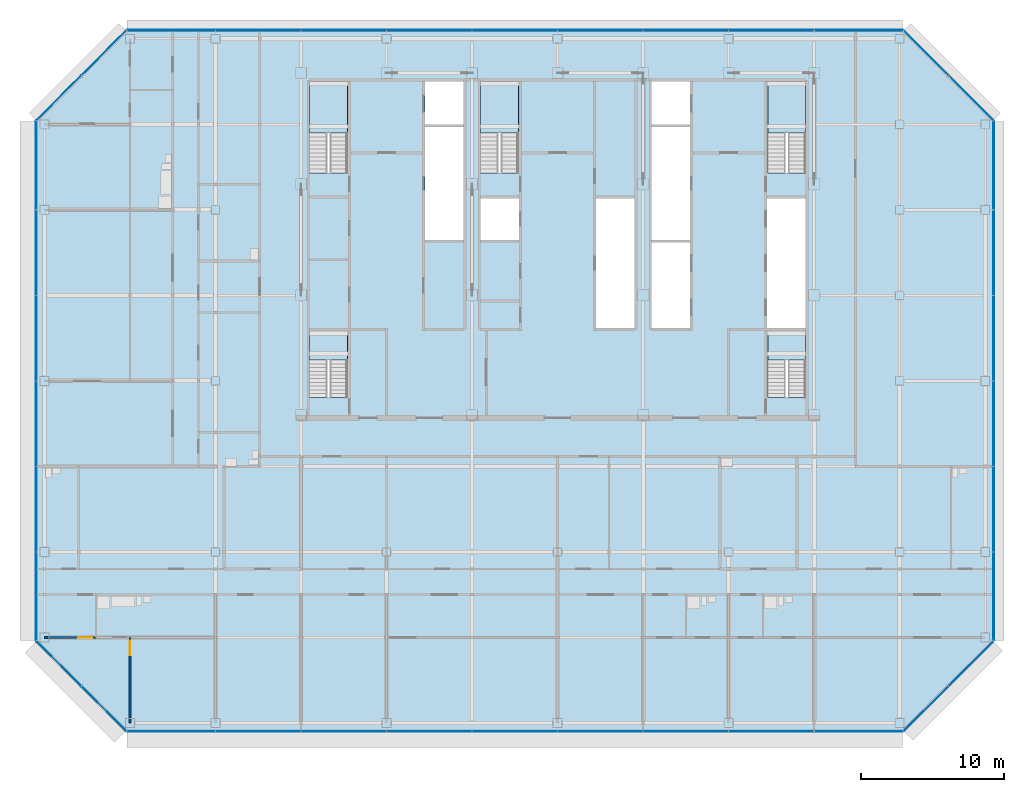
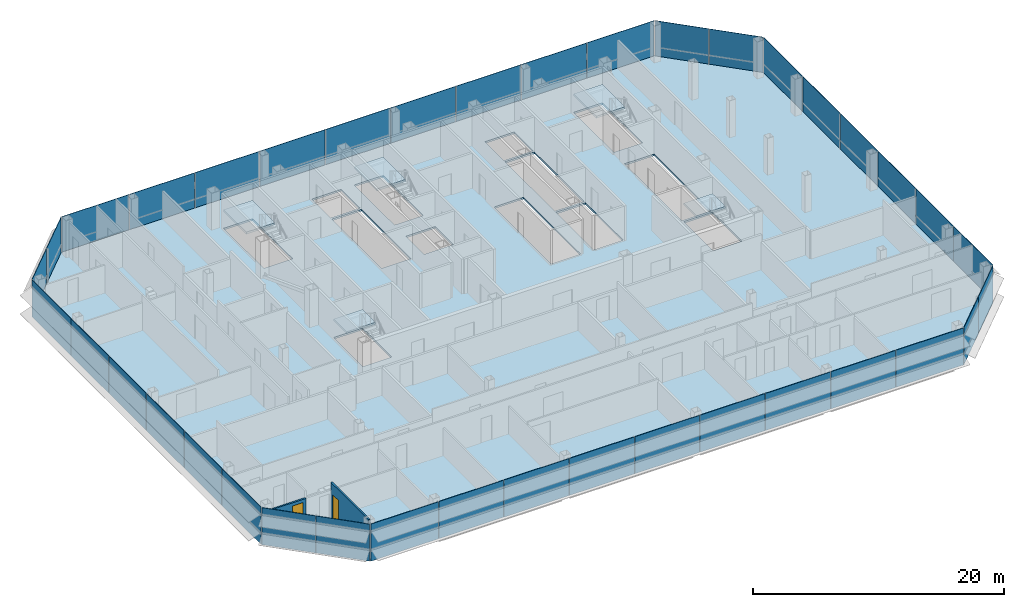
# One storey, part 19 of 26: 38 plates, 6 slabs, 2 doors, 2 walls, 2 openings, 13 elements without a shape of their own.
"""IFC4 building model written with IfcOpenShell, lengths in metres."""

from ifc_helpers import new_model, si_unit, direction, frame, frame_2d, origin, origin_2d, place, context, subcontext, project, spatial, polyline, rectangle, outline, extrude, material, layer, layer_set, type_object, element, fill, aggregate, save


model = new_model("IFC4")

# Units and contexts
model_context = context("Model", 3, precision=1e-05, world=origin(), true_north=direction((0.0, 1.0)))
body_context = subcontext(model_context, "Body", "Model", "MODEL_VIEW")
ifc_project = project(units=[si_unit("LENGTHUNIT", "METRE"), si_unit("AREAUNIT", "SQUARE_METRE"), si_unit("VOLUMEUNIT", "CUBIC_METRE"), si_unit("PLANEANGLEUNIT", "RADIAN"), si_unit("MASSUNIT", "GRAM", prefix="KILO")], contexts=[model_context])

# Site, building, storey
site_placement = place(None, origin())
site = spatial("IfcSite", under=ifc_project, at=site_placement, CompositionType="ELEMENT")
building_placement = place(site_placement, origin())
building = spatial("IfcBuilding", under=site, at=building_placement, Name="Sorahane Residences", CompositionType="ELEMENT")
storey_placement = place(building_placement, frame((0.0, 0.0, 243.199951171875)))
storey = spatial("IfcBuildingStorey", under=building, at=storey_placement, Name="L57", CompositionType="ELEMENT", Elevation=243.199951171875)

# Slab
ifc_material_1 = material(Name="Concrete C35", Category="concrete")
ifc_layer_1 = layer(ifc_material_1, 0.179931640625)
ifc_layer_set_1 = layer_set([ifc_layer_1], Name="Composite floor slab 180 mm Concrete C35")
slab_type_1 = type_object("IfcSlabType", Name="Composite floor slab 180 mm Concrete C35", PredefinedType="FLOOR", material=ifc_layer_set_1)
slab_1_placement = place(storey_placement, frame((0.0, 0.0, -0.179931640625)))
element("IfcSlab", 1, at=slab_1_placement, inside=storey, type_object=slab_type_1, Name="Slab L57", PredefinedType="FLOOR", context=body_context, shape_type="SweptSolid", body=[
    extrude(outline(polyline([(-6.24853515625, -0.60009765625), (-12.60009765625, 5.75146484375), (-12.60009765625, 42.24853515625), (-6.24853515625, 48.60009765625), (48.24853515625, 48.60009765625), (54.60009765625, 42.24853515625), (54.60009765625, 5.75146484375), (48.24853515625, -0.60009765625), (-6.24853515625, -0.60009765625)]), holes=[polyline([(38.699951171875, 27.699951171875), (41.39990234375, 27.699951171875), (41.39990234375, 36.800048828125), (38.699951171875, 36.800048828125), (38.699951171875, 27.699951171875)]), polyline([(30.60009765625, 27.699951171875), (33.300048828125, 27.699951171875), (33.300048828125, 33.699951171875), (30.60009765625, 33.699951171875), (30.60009765625, 27.699951171875)]), polyline([(30.60009765625, 42.0), (33.300048828125, 42.0), (33.300048828125, 45.0), (30.60009765625, 45.0), (30.60009765625, 42.0)]), polyline([(14.699951171875, 42.0), (17.39990234375, 42.0), (17.39990234375, 45.0), (14.699951171875, 45.0), (14.699951171875, 42.0)]), polyline([(9.25, 38.60009765625), (9.25, 45.0), (6.60009765625, 45.0), (6.60009765625, 38.60009765625), (9.25, 38.60009765625)]), polyline([(41.39990234375, 38.60009765625), (41.39990234375, 45.0), (38.75, 45.0), (38.75, 38.60009765625), (41.39990234375, 38.60009765625)]), polyline([(21.25, 38.60009765625), (21.25, 45.0), (18.60009765625, 45.0), (18.60009765625, 38.60009765625), (21.25, 38.60009765625)]), polyline([(9.25, 22.85009765625), (9.25, 27.5), (6.60009765625, 27.5), (6.60009765625, 22.85009765625), (9.25, 22.85009765625)]), polyline([(41.39990234375, 22.85009765625), (41.39990234375, 27.5), (38.75, 27.5), (38.75, 22.85009765625), (41.39990234375, 22.85009765625)]), polyline([(14.699951171875, 33.89990234375), (17.39990234375, 33.89990234375), (17.39990234375, 41.800048828125), (14.699951171875, 41.800048828125), (14.699951171875, 33.89990234375)]), polyline([(30.60009765625, 33.89990234375), (33.300048828125, 33.89990234375), (33.300048828125, 41.800048828125), (30.60009765625, 41.800048828125), (30.60009765625, 33.89990234375)]), polyline([(18.60009765625, 33.89990234375), (21.300048828125, 33.89990234375), (21.300048828125, 36.800048828125), (18.60009765625, 36.800048828125), (18.60009765625, 33.89990234375)]), polyline([(26.699951171875, 27.699951171875), (29.39990234375, 27.699951171875), (29.39990234375, 36.800048828125), (26.699951171875, 36.800048828125), (26.699951171875, 27.699951171875)])]), origin(), (0.0, 0.0, 1.0), 0.179931640625),
])

# Curtain wall, plates
ifc_material_2 = material(Name="Dark low-e glass and black anodised aluminium", Category="aluminium")
curtain_wall_type_1 = type_object("IfcCurtainWallType", Name="Curtain wall CW-1 Typical unitised wall", PredefinedType="NOTDEFINED", material=ifc_material_2)
curtain_wall_1_placement = place(storey_placement, origin())
curtain_wall_1 = element("IfcCurtainWall", 2, at=curtain_wall_1_placement, inside=storey, type_object=curtain_wall_type_1, Name="CW-1 curtain wall L57 S1", PredefinedType="NOTDEFINED")
ifc_material_3 = material(Name="Dark low-e glass with black ceramic frit", Category="glass")
ifc_layer_2 = layer(ifc_material_3, 0.0400390625)
ifc_layer_set_2 = layer_set([ifc_layer_2], Name="Curtain wall glass panel dark low-e with black frit spandrel band")
plate_type = type_object("IfcPlateType", Name="Curtain wall glass panel dark low-e with black frit spandrel band", PredefinedType="CURTAIN_PANEL", material=ifc_layer_set_2)
plate_1_placement = place(storey_placement, frame((-3.11181640625, -0.60009765625, -0.179931640625), z_axis=(0.0, 0.0, 1.0), x_axis=(1.0, 0.0, 0.0)))
plate_1 = element("IfcPlate", 3, at=plate_1_placement, type_object=plate_type, Name="CW-1 glass panel L57 S1.1", PredefinedType="CURTAIN_PANEL", context=body_context, shape_type="SweptSolid", body=[
    extrude(rectangle(XDim=6.173583984375, YDim=0.0400390625, at=origin_2d()), origin(), (0.0, 0.0, 1.0), 3.60009765625),
])
plate_2_placement = place(storey_placement, frame((3.0, -0.60009765625, -0.179931640625), z_axis=(0.0, 0.0, 1.0), x_axis=(1.0, 0.0, 0.0)))
plate_2 = element("IfcPlate", 4, at=plate_2_placement, type_object=plate_type, Name="CW-1 glass panel L57 S1.2", PredefinedType="CURTAIN_PANEL", context=body_context, shape_type="SweptSolid", body=[
    extrude(rectangle(XDim=5.949951171875, YDim=0.0400390625, at=origin_2d()), origin(), (0.0, 0.0, 1.0), 3.60009765625),
])
plate_3_placement = place(storey_placement, frame((9.0, -0.60009765625, -0.179931640625), z_axis=(0.0, 0.0, 1.0), x_axis=(1.0, 0.0, 0.0)))
plate_3 = element("IfcPlate", 5, at=plate_3_placement, type_object=plate_type, Name="CW-1 glass panel L57 S1.3", PredefinedType="CURTAIN_PANEL", context=body_context, shape_type="SweptSolid", body=[
    extrude(rectangle(XDim=5.949951171875, YDim=0.0400390625, at=origin_2d()), origin(), (0.0, 0.0, 1.0), 3.60009765625),
])
plate_4_placement = place(storey_placement, frame((15.0, -0.60009765625, -0.179931640625), z_axis=(0.0, 0.0, 1.0), x_axis=(1.0, 0.0, 0.0)))
plate_4 = element("IfcPlate", 6, at=plate_4_placement, type_object=plate_type, Name="CW-1 glass panel L57 S1.4", PredefinedType="CURTAIN_PANEL", context=body_context, shape_type="SweptSolid", body=[
    extrude(rectangle(XDim=5.949951171875, YDim=0.0400390625, at=origin_2d()), origin(), (0.0, 0.0, 1.0), 3.60009765625),
])
plate_5_placement = place(storey_placement, frame((21.0, -0.60009765625, -0.179931640625), z_axis=(0.0, 0.0, 1.0), x_axis=(1.0, 0.0, 0.0)))
plate_5 = element("IfcPlate", 7, at=plate_5_placement, type_object=plate_type, Name="CW-1 glass panel L57 S1.5", PredefinedType="CURTAIN_PANEL", context=body_context, shape_type="SweptSolid", body=[
    extrude(rectangle(XDim=5.949951171875, YDim=0.0400390625, at=origin_2d()), origin(), (0.0, 0.0, 1.0), 3.60009765625),
])
plate_6_placement = place(storey_placement, frame((27.0, -0.60009765625, -0.179931640625), z_axis=(0.0, 0.0, 1.0), x_axis=(1.0, 0.0, 0.0)))
plate_6 = element("IfcPlate", 8, at=plate_6_placement, type_object=plate_type, Name="CW-1 glass panel L57 S1.6", PredefinedType="CURTAIN_PANEL", context=body_context, shape_type="SweptSolid", body=[
    extrude(rectangle(XDim=5.949951171875, YDim=0.0400390625, at=origin_2d()), origin(), (0.0, 0.0, 1.0), 3.60009765625),
])
plate_7_placement = place(storey_placement, frame((33.0, -0.60009765625, -0.179931640625), z_axis=(0.0, 0.0, 1.0), x_axis=(1.0, 0.0, 0.0)))
plate_7 = element("IfcPlate", 9, at=plate_7_placement, type_object=plate_type, Name="CW-1 glass panel L57 S1.7", PredefinedType="CURTAIN_PANEL", context=body_context, shape_type="SweptSolid", body=[
    extrude(rectangle(XDim=5.949951171875, YDim=0.0400390625, at=origin_2d()), origin(), (0.0, 0.0, 1.0), 3.60009765625),
])
plate_8_placement = place(storey_placement, frame((39.0, -0.60009765625, -0.179931640625), z_axis=(0.0, 0.0, 1.0), x_axis=(1.0, 0.0, 0.0)))
plate_8 = element("IfcPlate", 10, at=plate_8_placement, type_object=plate_type, Name="CW-1 glass panel L57 S1.8", PredefinedType="CURTAIN_PANEL", context=body_context, shape_type="SweptSolid", body=[
    extrude(rectangle(XDim=5.949951171875, YDim=0.0400390625, at=origin_2d()), origin(), (0.0, 0.0, 1.0), 3.60009765625),
])
plate_9_placement = place(storey_placement, frame((45.11181640625, -0.60009765625, -0.179931640625), z_axis=(0.0, 0.0, 1.0), x_axis=(1.0, 0.0, 0.0)))
plate_9 = element("IfcPlate", 11, at=plate_9_placement, type_object=plate_type, Name="CW-1 glass panel L57 S1.9", PredefinedType="CURTAIN_PANEL", context=body_context, shape_type="SweptSolid", body=[
    extrude(rectangle(XDim=6.173583984375, YDim=0.0400390625, at=origin_2d()), origin(), (0.0, 0.0, 1.0), 3.60009765625),
])
aggregate(curtain_wall_1, [plate_1, plate_2, plate_3, plate_4, plate_5, plate_6, plate_7, plate_8, plate_9])

ifc_material_4 = material(Name="Dark low-e glass and black anodised aluminium", Category="aluminium")
curtain_wall_type_2 = type_object("IfcCurtainWallType", Name="Curtain wall CW-2 Chamfer unitised wall", PredefinedType="NOTDEFINED", material=ifc_material_4)
curtain_wall_2_placement = place(storey_placement, origin())
curtain_wall_2 = element("IfcCurtainWall", 12, at=curtain_wall_2_placement, inside=storey, type_object=curtain_wall_type_2, Name="CW-2 curtain wall L57 SE1", PredefinedType="NOTDEFINED")
plate_10_placement = place(storey_placement, frame((49.84521484375, 0.996826171875, -0.179931640625), z_axis=(0.0, 0.0, 1.0), x_axis=(0.707106781187, 0.707106781187, 0.0)))
plate_10 = element("IfcPlate", 13, at=plate_10_placement, type_object=plate_type, Name="CW-2 glass panel L57 SE1.1", PredefinedType="CURTAIN_PANEL", context=body_context, shape_type="SweptSolid", body=[
    extrude(rectangle(XDim=4.416259765625, YDim=0.0400390625, at=origin_2d()), origin(), (0.0, 0.0, 1.0), 3.60009765625),
])
plate_11_placement = place(storey_placement, frame((53.003173828125, 4.15478515625, -0.179931640625), z_axis=(0.0, 0.0, 1.0), x_axis=(0.707106781187, 0.707106781187, 0.0)))
plate_11 = element("IfcPlate", 14, at=plate_11_placement, type_object=plate_type, Name="CW-2 glass panel L57 SE1.2", PredefinedType="CURTAIN_PANEL", context=body_context, shape_type="SweptSolid", body=[
    extrude(rectangle(XDim=4.416259765625, YDim=0.0400390625, at=origin_2d()), origin(), (0.0, 0.0, 1.0), 3.60009765625),
])
aggregate(curtain_wall_2, [plate_10, plate_11])

curtain_wall_3_placement = place(storey_placement, origin())
curtain_wall_3 = element("IfcCurtainWall", 15, at=curtain_wall_3_placement, inside=storey, type_object=curtain_wall_type_1, Name="CW-1 curtain wall L57 E1", PredefinedType="NOTDEFINED")
plate_12_placement = place(storey_placement, frame((54.60009765625, 8.88818359375, -0.179931640625), z_axis=(0.0, 0.0, 1.0), x_axis=(0.0, 1.0, 0.0)))
plate_12 = element("IfcPlate", 16, at=plate_12_placement, type_object=plate_type, Name="CW-1 glass panel L57 E1.1", PredefinedType="CURTAIN_PANEL", context=body_context, shape_type="SweptSolid", body=[
    extrude(rectangle(XDim=6.173583984375, YDim=0.0400390625, at=origin_2d()), origin(), (0.0, 0.0, 1.0), 3.60009765625),
])
plate_13_placement = place(storey_placement, frame((54.60009765625, 15.0, -0.179931640625), z_axis=(0.0, 0.0, 1.0), x_axis=(0.0, 1.0, 0.0)))
plate_13 = element("IfcPlate", 17, at=plate_13_placement, type_object=plate_type, Name="CW-1 glass panel L57 E1.2", PredefinedType="CURTAIN_PANEL", context=body_context, shape_type="SweptSolid", body=[
    extrude(rectangle(XDim=5.949951171875, YDim=0.0400390625, at=origin_2d()), origin(), (0.0, 0.0, 1.0), 3.60009765625),
])
plate_14_placement = place(storey_placement, frame((54.60009765625, 21.0, -0.179931640625), z_axis=(0.0, 0.0, 1.0), x_axis=(0.0, 1.0, 0.0)))
plate_14 = element("IfcPlate", 18, at=plate_14_placement, type_object=plate_type, Name="CW-1 glass panel L57 E1.3", PredefinedType="CURTAIN_PANEL", context=body_context, shape_type="SweptSolid", body=[
    extrude(rectangle(XDim=5.949951171875, YDim=0.0400390625, at=origin_2d()), origin(), (0.0, 0.0, 1.0), 3.60009765625),
])
plate_15_placement = place(storey_placement, frame((54.60009765625, 27.0, -0.179931640625), z_axis=(0.0, 0.0, 1.0), x_axis=(0.0, 1.0, 0.0)))
plate_15 = element("IfcPlate", 19, at=plate_15_placement, type_object=plate_type, Name="CW-1 glass panel L57 E1.4", PredefinedType="CURTAIN_PANEL", context=body_context, shape_type="SweptSolid", body=[
    extrude(rectangle(XDim=5.949951171875, YDim=0.0400390625, at=origin_2d()), origin(), (0.0, 0.0, 1.0), 3.60009765625),
])
plate_16_placement = place(storey_placement, frame((54.60009765625, 33.0, -0.179931640625), z_axis=(0.0, 0.0, 1.0), x_axis=(0.0, 1.0, 0.0)))
plate_16 = element("IfcPlate", 20, at=plate_16_placement, type_object=plate_type, Name="CW-1 glass panel L57 E1.5", PredefinedType="CURTAIN_PANEL", context=body_context, shape_type="SweptSolid", body=[
    extrude(rectangle(XDim=5.949951171875, YDim=0.0400390625, at=origin_2d()), origin(), (0.0, 0.0, 1.0), 3.60009765625),
])
plate_17_placement = place(storey_placement, frame((54.60009765625, 39.11181640625, -0.179931640625), z_axis=(0.0, 0.0, 1.0), x_axis=(0.0, 1.0, 0.0)))
plate_17 = element("IfcPlate", 21, at=plate_17_placement, type_object=plate_type, Name="CW-1 glass panel L57 E1.6", PredefinedType="CURTAIN_PANEL", context=body_context, shape_type="SweptSolid", body=[
    extrude(rectangle(XDim=6.173583984375, YDim=0.0400390625, at=origin_2d()), origin(), (0.0, 0.0, 1.0), 3.60009765625),
])
aggregate(curtain_wall_3, [plate_12, plate_13, plate_14, plate_15, plate_16, plate_17])

curtain_wall_4_placement = place(storey_placement, origin())
curtain_wall_4 = element("IfcCurtainWall", 22, at=curtain_wall_4_placement, inside=storey, type_object=curtain_wall_type_2, Name="CW-2 curtain wall L57 NE1", PredefinedType="NOTDEFINED")
plate_18_placement = place(storey_placement, frame((53.003173828125, 43.84521484375, -0.179931640625), z_axis=(0.0, 0.0, 1.0), x_axis=(-0.707106781187, 0.707106781187, 0.0)))
plate_18 = element("IfcPlate", 23, at=plate_18_placement, type_object=plate_type, Name="CW-2 glass panel L57 NE1.1", PredefinedType="CURTAIN_PANEL", context=body_context, shape_type="SweptSolid", body=[
    extrude(rectangle(XDim=4.416259765625, YDim=0.0400390625, at=origin_2d()), origin(), (0.0, 0.0, 1.0), 3.60009765625),
])
plate_19_placement = place(storey_placement, frame((49.84521484375, 47.003173828125, -0.179931640625), z_axis=(0.0, 0.0, 1.0), x_axis=(-0.707106781187, 0.707106781187, 0.0)))
plate_19 = element("IfcPlate", 24, at=plate_19_placement, type_object=plate_type, Name="CW-2 glass panel L57 NE1.2", PredefinedType="CURTAIN_PANEL", context=body_context, shape_type="SweptSolid", body=[
    extrude(rectangle(XDim=4.416259765625, YDim=0.0400390625, at=origin_2d()), origin(), (0.0, 0.0, 1.0), 3.60009765625),
])
aggregate(curtain_wall_4, [plate_18, plate_19])

curtain_wall_5_placement = place(storey_placement, origin())
curtain_wall_5 = element("IfcCurtainWall", 25, at=curtain_wall_5_placement, inside=storey, type_object=curtain_wall_type_1, Name="CW-1 curtain wall L57 N1", PredefinedType="NOTDEFINED")
plate_20_placement = place(storey_placement, frame((45.11181640625, 48.60009765625, -0.179931640625), z_axis=(0.0, 0.0, 1.0), x_axis=(-1.0, 0.0, 0.0)))
plate_20 = element("IfcPlate", 26, at=plate_20_placement, type_object=plate_type, Name="CW-1 glass panel L57 N1.1", PredefinedType="CURTAIN_PANEL", context=body_context, shape_type="SweptSolid", body=[
    extrude(rectangle(XDim=6.173583984375, YDim=0.0400390625, at=origin_2d()), origin(), (0.0, 0.0, 1.0), 3.60009765625),
])
plate_21_placement = place(storey_placement, frame((39.0, 48.60009765625, -0.179931640625), z_axis=(0.0, 0.0, 1.0), x_axis=(-1.0, 0.0, 0.0)))
plate_21 = element("IfcPlate", 27, at=plate_21_placement, type_object=plate_type, Name="CW-1 glass panel L57 N1.2", PredefinedType="CURTAIN_PANEL", context=body_context, shape_type="SweptSolid", body=[
    extrude(rectangle(XDim=5.949951171875, YDim=0.0400390625, at=origin_2d()), origin(), (0.0, 0.0, 1.0), 3.60009765625),
])
plate_22_placement = place(storey_placement, frame((33.0, 48.60009765625, -0.179931640625), z_axis=(0.0, 0.0, 1.0), x_axis=(-1.0, 0.0, 0.0)))
plate_22 = element("IfcPlate", 28, at=plate_22_placement, type_object=plate_type, Name="CW-1 glass panel L57 N1.3", PredefinedType="CURTAIN_PANEL", context=body_context, shape_type="SweptSolid", body=[
    extrude(rectangle(XDim=5.949951171875, YDim=0.0400390625, at=origin_2d()), origin(), (0.0, 0.0, 1.0), 3.60009765625),
])
plate_23_placement = place(storey_placement, frame((27.0, 48.60009765625, -0.179931640625), z_axis=(0.0, 0.0, 1.0), x_axis=(-1.0, 0.0, 0.0)))
plate_23 = element("IfcPlate", 29, at=plate_23_placement, type_object=plate_type, Name="CW-1 glass panel L57 N1.4", PredefinedType="CURTAIN_PANEL", context=body_context, shape_type="SweptSolid", body=[
    extrude(rectangle(XDim=5.949951171875, YDim=0.0400390625, at=origin_2d()), origin(), (0.0, 0.0, 1.0), 3.60009765625),
])
plate_24_placement = place(storey_placement, frame((21.0, 48.60009765625, -0.179931640625), z_axis=(0.0, 0.0, 1.0), x_axis=(-1.0, 0.0, 0.0)))
plate_24 = element("IfcPlate", 30, at=plate_24_placement, type_object=plate_type, Name="CW-1 glass panel L57 N1.5", PredefinedType="CURTAIN_PANEL", context=body_context, shape_type="SweptSolid", body=[
    extrude(rectangle(XDim=5.949951171875, YDim=0.0400390625, at=origin_2d()), origin(), (0.0, 0.0, 1.0), 3.60009765625),
])
plate_25_placement = place(storey_placement, frame((15.0, 48.60009765625, -0.179931640625), z_axis=(0.0, 0.0, 1.0), x_axis=(-1.0, 0.0, 0.0)))
plate_25 = element("IfcPlate", 31, at=plate_25_placement, type_object=plate_type, Name="CW-1 glass panel L57 N1.6", PredefinedType="CURTAIN_PANEL", context=body_context, shape_type="SweptSolid", body=[
    extrude(rectangle(XDim=5.949951171875, YDim=0.0400390625, at=origin_2d()), origin(), (0.0, 0.0, 1.0), 3.60009765625),
])
plate_26_placement = place(storey_placement, frame((9.0, 48.60009765625, -0.179931640625), z_axis=(0.0, 0.0, 1.0), x_axis=(-1.0, 0.0, 0.0)))
plate_26 = element("IfcPlate", 32, at=plate_26_placement, type_object=plate_type, Name="CW-1 glass panel L57 N1.7", PredefinedType="CURTAIN_PANEL", context=body_context, shape_type="SweptSolid", body=[
    extrude(rectangle(XDim=5.949951171875, YDim=0.0400390625, at=origin_2d()), origin(), (0.0, 0.0, 1.0), 3.60009765625),
])
plate_27_placement = place(storey_placement, frame((3.0, 48.60009765625, -0.179931640625), z_axis=(0.0, 0.0, 1.0), x_axis=(-1.0, 0.0, 0.0)))
plate_27 = element("IfcPlate", 33, at=plate_27_placement, type_object=plate_type, Name="CW-1 glass panel L57 N1.8", PredefinedType="CURTAIN_PANEL", context=body_context, shape_type="SweptSolid", body=[
    extrude(rectangle(XDim=5.949951171875, YDim=0.0400390625, at=origin_2d()), origin(), (0.0, 0.0, 1.0), 3.60009765625),
])
plate_28_placement = place(storey_placement, frame((-3.11181640625, 48.60009765625, -0.179931640625), z_axis=(0.0, 0.0, 1.0), x_axis=(-1.0, 0.0, 0.0)))
plate_28 = element("IfcPlate", 34, at=plate_28_placement, type_object=plate_type, Name="CW-1 glass panel L57 N1.9", PredefinedType="CURTAIN_PANEL", context=body_context, shape_type="SweptSolid", body=[
    extrude(rectangle(XDim=6.173583984375, YDim=0.0400390625, at=origin_2d()), origin(), (0.0, 0.0, 1.0), 3.60009765625),
])
aggregate(curtain_wall_5, [plate_20, plate_21, plate_22, plate_23, plate_24, plate_25, plate_26, plate_27, plate_28])

curtain_wall_6_placement = place(storey_placement, origin())
curtain_wall_6 = element("IfcCurtainWall", 35, at=curtain_wall_6_placement, inside=storey, type_object=curtain_wall_type_2, Name="CW-2 curtain wall L57 NW1", PredefinedType="NOTDEFINED")
plate_29_placement = place(storey_placement, frame((-7.84521484375, 47.003173828125, -0.179931640625), z_axis=(0.0, 0.0, 1.0), x_axis=(-0.707106781187, -0.707106781187, 0.0)))
plate_29 = element("IfcPlate", 36, at=plate_29_placement, type_object=plate_type, Name="CW-2 glass panel L57 NW1.1", PredefinedType="CURTAIN_PANEL", context=body_context, shape_type="SweptSolid", body=[
    extrude(rectangle(XDim=4.416259765625, YDim=0.0400390625, at=origin_2d()), origin(), (0.0, 0.0, 1.0), 3.60009765625),
])
plate_30_placement = place(storey_placement, frame((-11.003173828125, 43.84521484375, -0.179931640625), z_axis=(0.0, 0.0, 1.0), x_axis=(-0.707106781187, -0.707106781187, 0.0)))
plate_30 = element("IfcPlate", 37, at=plate_30_placement, type_object=plate_type, Name="CW-2 glass panel L57 NW1.2", PredefinedType="CURTAIN_PANEL", context=body_context, shape_type="SweptSolid", body=[
    extrude(rectangle(XDim=4.416259765625, YDim=0.0400390625, at=origin_2d()), origin(), (0.0, 0.0, 1.0), 3.60009765625),
])
aggregate(curtain_wall_6, [plate_29, plate_30])

curtain_wall_7_placement = place(storey_placement, origin())
curtain_wall_7 = element("IfcCurtainWall", 38, at=curtain_wall_7_placement, inside=storey, type_object=curtain_wall_type_1, Name="CW-1 curtain wall L57 W1", PredefinedType="NOTDEFINED")
plate_31_placement = place(storey_placement, frame((-12.60009765625, 39.11181640625, -0.179931640625), z_axis=(0.0, 0.0, 1.0), x_axis=(0.0, -1.0, 0.0)))
plate_31 = element("IfcPlate", 39, at=plate_31_placement, type_object=plate_type, Name="CW-1 glass panel L57 W1.1", PredefinedType="CURTAIN_PANEL", context=body_context, shape_type="SweptSolid", body=[
    extrude(rectangle(XDim=6.173583984375, YDim=0.0400390625, at=origin_2d()), origin(), (0.0, 0.0, 1.0), 3.60009765625),
])
plate_32_placement = place(storey_placement, frame((-12.60009765625, 33.0, -0.179931640625), z_axis=(0.0, 0.0, 1.0), x_axis=(0.0, -1.0, 0.0)))
plate_32 = element("IfcPlate", 40, at=plate_32_placement, type_object=plate_type, Name="CW-1 glass panel L57 W1.2", PredefinedType="CURTAIN_PANEL", context=body_context, shape_type="SweptSolid", body=[
    extrude(rectangle(XDim=5.949951171875, YDim=0.0400390625, at=origin_2d()), origin(), (0.0, 0.0, 1.0), 3.60009765625),
])
plate_33_placement = place(storey_placement, frame((-12.60009765625, 27.0, -0.179931640625), z_axis=(0.0, 0.0, 1.0), x_axis=(0.0, -1.0, 0.0)))
plate_33 = element("IfcPlate", 41, at=plate_33_placement, type_object=plate_type, Name="CW-1 glass panel L57 W1.3", PredefinedType="CURTAIN_PANEL", context=body_context, shape_type="SweptSolid", body=[
    extrude(rectangle(XDim=5.949951171875, YDim=0.0400390625, at=origin_2d()), origin(), (0.0, 0.0, 1.0), 3.60009765625),
])
plate_34_placement = place(storey_placement, frame((-12.60009765625, 21.0, -0.179931640625), z_axis=(0.0, 0.0, 1.0), x_axis=(0.0, -1.0, 0.0)))
plate_34 = element("IfcPlate", 42, at=plate_34_placement, type_object=plate_type, Name="CW-1 glass panel L57 W1.4", PredefinedType="CURTAIN_PANEL", context=body_context, shape_type="SweptSolid", body=[
    extrude(rectangle(XDim=5.949951171875, YDim=0.0400390625, at=origin_2d()), origin(), (0.0, 0.0, 1.0), 3.60009765625),
])
plate_35_placement = place(storey_placement, frame((-12.60009765625, 15.0, -0.179931640625), z_axis=(0.0, 0.0, 1.0), x_axis=(0.0, -1.0, 0.0)))
plate_35 = element("IfcPlate", 43, at=plate_35_placement, type_object=plate_type, Name="CW-1 glass panel L57 W1.5", PredefinedType="CURTAIN_PANEL", context=body_context, shape_type="SweptSolid", body=[
    extrude(rectangle(XDim=5.949951171875, YDim=0.0400390625, at=origin_2d()), origin(), (0.0, 0.0, 1.0), 3.60009765625),
])
plate_36_placement = place(storey_placement, frame((-12.60009765625, 8.88818359375, -0.179931640625), z_axis=(0.0, 0.0, 1.0), x_axis=(0.0, -1.0, 0.0)))
plate_36 = element("IfcPlate", 44, at=plate_36_placement, type_object=plate_type, Name="CW-1 glass panel L57 W1.6", PredefinedType="CURTAIN_PANEL", context=body_context, shape_type="SweptSolid", body=[
    extrude(rectangle(XDim=6.173583984375, YDim=0.0400390625, at=origin_2d()), origin(), (0.0, 0.0, 1.0), 3.60009765625),
])
aggregate(curtain_wall_7, [plate_31, plate_32, plate_33, plate_34, plate_35, plate_36])

curtain_wall_8_placement = place(storey_placement, origin())
curtain_wall_8 = element("IfcCurtainWall", 45, at=curtain_wall_8_placement, inside=storey, type_object=curtain_wall_type_2, Name="CW-2 curtain wall L57 SW1", PredefinedType="NOTDEFINED")
plate_37_placement = place(storey_placement, frame((-11.003173828125, 4.15478515625, -0.179931640625), z_axis=(0.0, 0.0, 1.0), x_axis=(0.707106781187, -0.707106781187, 0.0)))
plate_37 = element("IfcPlate", 46, at=plate_37_placement, type_object=plate_type, Name="CW-2 glass panel L57 SW1.1", PredefinedType="CURTAIN_PANEL", context=body_context, shape_type="SweptSolid", body=[
    extrude(rectangle(XDim=4.416259765625, YDim=0.0400390625, at=origin_2d()), origin(), (0.0, 0.0, 1.0), 3.60009765625),
])
plate_38_placement = place(storey_placement, frame((-7.84521484375, 0.996826171875, -0.179931640625), z_axis=(0.0, 0.0, 1.0), x_axis=(0.707106781187, -0.707106781187, 0.0)))
plate_38 = element("IfcPlate", 47, at=plate_38_placement, type_object=plate_type, Name="CW-2 glass panel L57 SW1.2", PredefinedType="CURTAIN_PANEL", context=body_context, shape_type="SweptSolid", body=[
    extrude(rectangle(XDim=4.416259765625, YDim=0.0400390625, at=origin_2d()), origin(), (0.0, 0.0, 1.0), 3.60009765625),
])
aggregate(curtain_wall_8, [plate_37, plate_38])

# Stair, slab
ifc_material_5 = material(Name="Concrete C40", Category="concrete")
stair_type = type_object("IfcStairType", Name="Dog-leg stair 1250 Concrete C40", PredefinedType="HALF_TURN_STAIR", material=ifc_material_5)
stair_1_placement = place(storey_placement, origin())
stair_1 = element("IfcStair", 48, at=stair_1_placement, inside=storey, type_object=stair_type, Name="L57 Stair S1", PredefinedType="HALF_TURN_STAIR")
ifc_material_6 = material(Name="Concrete C40", Category="concrete")
ifc_layer_3 = layer(ifc_material_6, 0.199951171875)
ifc_layer_set_3 = layer_set([ifc_layer_3], Name="Stair landing 200 Concrete C40")
slab_type_2 = type_object("IfcSlabType", Name="Stair landing 200 Concrete C40", PredefinedType="LANDING", material=ifc_layer_set_3)
slab_2_placement = place(storey_placement, frame((0.0, 0.0, 1.60009765625)))
slab_2 = element("IfcSlab", 49, at=slab_2_placement, type_object=slab_type_2, Name="S1 landing 1", PredefinedType="LANDING", context=body_context, shape_type="SweptSolid", body=[
    extrude(outline(polyline([(9.25, 41.39990234375), (9.25, 45.0), (6.60009765625, 45.0), (6.60009765625, 41.39990234375), (9.25, 41.39990234375)])), origin(), (0.0, 0.0, 1.0), 0.199951171875),
])
aggregate(stair_1, [slab_2])

stair_2_placement = place(storey_placement, origin())
stair_2 = element("IfcStair", 50, at=stair_2_placement, inside=storey, type_object=stair_type, Name="L57 Stair S2", PredefinedType="HALF_TURN_STAIR")
slab_3_placement = place(storey_placement, frame((0.0, 0.0, 1.60009765625)))
slab_3 = element("IfcSlab", 51, at=slab_3_placement, type_object=slab_type_2, Name="S2 landing 1", PredefinedType="LANDING", context=body_context, shape_type="SweptSolid", body=[
    extrude(outline(polyline([(41.39990234375, 41.39990234375), (41.39990234375, 45.0), (38.75, 45.0), (38.75, 41.39990234375), (41.39990234375, 41.39990234375)])), origin(), (0.0, 0.0, 1.0), 0.199951171875),
])
aggregate(stair_2, [slab_3])

stair_3_placement = place(storey_placement, origin())
stair_3 = element("IfcStair", 52, at=stair_3_placement, inside=storey, type_object=stair_type, Name="L57 Stair S3", PredefinedType="HALF_TURN_STAIR")
slab_4_placement = place(storey_placement, frame((0.0, 0.0, 1.60009765625)))
slab_4 = element("IfcSlab", 53, at=slab_4_placement, type_object=slab_type_2, Name="S3 landing 1", PredefinedType="LANDING", context=body_context, shape_type="SweptSolid", body=[
    extrude(outline(polyline([(21.25, 41.39990234375), (21.25, 45.0), (18.60009765625, 45.0), (18.60009765625, 41.39990234375), (21.25, 41.39990234375)])), origin(), (0.0, 0.0, 1.0), 0.199951171875),
])
aggregate(stair_3, [slab_4])

stair_4_placement = place(storey_placement, origin())
stair_4 = element("IfcStair", 54, at=stair_4_placement, inside=storey, type_object=stair_type, Name="L57 Stair S4", PredefinedType="HALF_TURN_STAIR")
slab_5_placement = place(storey_placement, frame((0.0, 0.0, 1.60009765625)))
slab_5 = element("IfcSlab", 55, at=slab_5_placement, type_object=slab_type_2, Name="S4 landing 1", PredefinedType="LANDING", context=body_context, shape_type="SweptSolid", body=[
    extrude(outline(polyline([(9.25, 25.449951171875), (9.25, 27.5), (6.60009765625, 27.5), (6.60009765625, 25.449951171875), (9.25, 25.449951171875)])), origin(), (0.0, 0.0, 1.0), 0.199951171875),
])
aggregate(stair_4, [slab_5])

stair_5_placement = place(storey_placement, origin())
stair_5 = element("IfcStair", 56, at=stair_5_placement, inside=storey, type_object=stair_type, Name="L57 Stair S5", PredefinedType="HALF_TURN_STAIR")
slab_6_placement = place(storey_placement, frame((0.0, 0.0, 1.60009765625)))
slab_6 = element("IfcSlab", 57, at=slab_6_placement, type_object=slab_type_2, Name="S5 landing 1", PredefinedType="LANDING", context=body_context, shape_type="SweptSolid", body=[
    extrude(outline(polyline([(41.39990234375, 25.449951171875), (41.39990234375, 27.5), (38.75, 27.5), (38.75, 25.449951171875), (41.39990234375, 25.449951171875)])), origin(), (0.0, 0.0, 1.0), 0.199951171875),
])
aggregate(stair_5, [slab_6])

# Wall, opening, door
ifc_material_7 = material(Name="Gypsum board partition on steel studs", Category="steel")
ifc_layer_4 = layer(ifc_material_7, 0.14990234375)
ifc_layer_set_4 = layer_set([ifc_layer_4], Name="Partition 150 EI 90")
wall_type = type_object("IfcWallType", Name="Partition 150 EI 90", PredefinedType="PARTITIONING", material=ifc_layer_set_4)
wall_1_placement = place(storey_placement, frame((-6.0, 0.0, 0.0), z_axis=(0.0, 0.0, 1.0), x_axis=(0.0, 1.0, 0.0)))
wall_1 = element("IfcWall", 58, at=wall_1_placement, inside=storey, type_object=wall_type, Name="L57 partition", PredefinedType="PARTITIONING", context=body_context, shape_type="SweptSolid", body=[
    extrude(rectangle(XDim=6.0, YDim=0.14990234375, at=frame_2d((3.0, 0.0))), origin(), (0.0, 0.0, 1.0), 3.420166015625),
])
opening_1_placement = place(wall_1_placement, frame((4.75, 0.0, 0.0)))
opening_1 = element("IfcOpeningElement", 59, at=opening_1_placement, cuts=wall_1, Name="Opening L57-11", PredefinedType="OPENING", context=body_context, shape_type="SweptSolid", body=[
    extrude(rectangle(XDim=1.0, YDim=2.39990234375, at=frame_2d((0.5, 1.199951171875))), frame((0.0, 0.0849609375, 0.0), z_axis=(0.0, -1.0, 0.0), x_axis=(1.0, 0.0, 0.0)), (0.0, 0.0, 1.0), 0.169921875),
])
ifc_material_8 = material(Name="Timber veneered fire door", Category="wood")
door_type = type_object("IfcDoorType", Name="Room door 1000x2400 FD30", OperationType="NOTDEFINED", PredefinedType="DOOR", material=ifc_material_8)
door_1_placement = place(opening_1_placement, frame((1.0, 0.0, 0.0), z_axis=(0.0, 0.0, 1.0), x_axis=(-1.0, 0.0, 0.0)))
door_1 = element("IfcDoor", 60, at=door_1_placement, inside=storey, type_object=door_type, Name="Room door L57-11", OperationType="SINGLE_SWING_LEFT", OverallHeight=2.39990234375, OverallWidth=1.0, PredefinedType="DOOR", context=body_context, shape_type="SweptSolid", body=[
    extrude(rectangle(XDim=1.0, YDim=2.39990234375, at=frame_2d((0.5, 1.199951171875))), frame((0.0, 0.02490234375, 0.0), z_axis=(0.0, -1.0, 0.0), x_axis=(1.0, 0.0, 0.0)), (0.0, 0.0, 1.0), 0.050048828125),
])
fill(opening_1, door_1)

wall_2_placement = place(storey_placement, frame((-12.0, 6.0, 0.0), z_axis=(0.0, 0.0, 1.0), x_axis=(1.0, 0.0, 0.0)))
wall_2 = element("IfcWall", 61, at=wall_2_placement, inside=storey, type_object=wall_type, Name="L57 partition", PredefinedType="PARTITIONING", context=body_context, shape_type="SweptSolid", body=[
    extrude(rectangle(XDim=3.60009765625, YDim=0.14990234375, at=frame_2d((1.800048828125, 0.0))), origin(), (0.0, 0.0, 1.0), 2.719970703125),
])
opening_2_placement = place(wall_2_placement, frame((2.35009765625, 0.0, 0.0)))
opening_2 = element("IfcOpeningElement", 62, at=opening_2_placement, cuts=wall_2, Name="Opening L57-10", PredefinedType="OPENING", context=body_context, shape_type="SweptSolid", body=[
    extrude(rectangle(XDim=1.0, YDim=2.39990234375, at=frame_2d((0.5, 1.199951171875))), frame((0.0, 0.0849609375, 0.0), z_axis=(0.0, -1.0, 0.0), x_axis=(1.0, 0.0, 0.0)), (0.0, 0.0, 1.0), 0.169921875),
])
door_2_placement = place(opening_2_placement, frame((1.0, 0.0, 0.0), z_axis=(0.0, 0.0, 1.0), x_axis=(-1.0, 0.0, 0.0)))
door_2 = element("IfcDoor", 63, at=door_2_placement, inside=storey, type_object=door_type, Name="Room door L57-10", OperationType="SINGLE_SWING_RIGHT", OverallHeight=2.39990234375, OverallWidth=1.0, PredefinedType="DOOR", context=body_context, shape_type="SweptSolid", body=[
    extrude(rectangle(XDim=1.0, YDim=2.39990234375, at=frame_2d((0.5, 1.199951171875))), frame((0.0, 0.02490234375, 0.0), z_axis=(0.0, -1.0, 0.0), x_axis=(1.0, 0.0, 0.0)), (0.0, 0.0, 1.0), 0.050048828125),
])
fill(opening_2, door_2)

save(model, "model.ifc")
